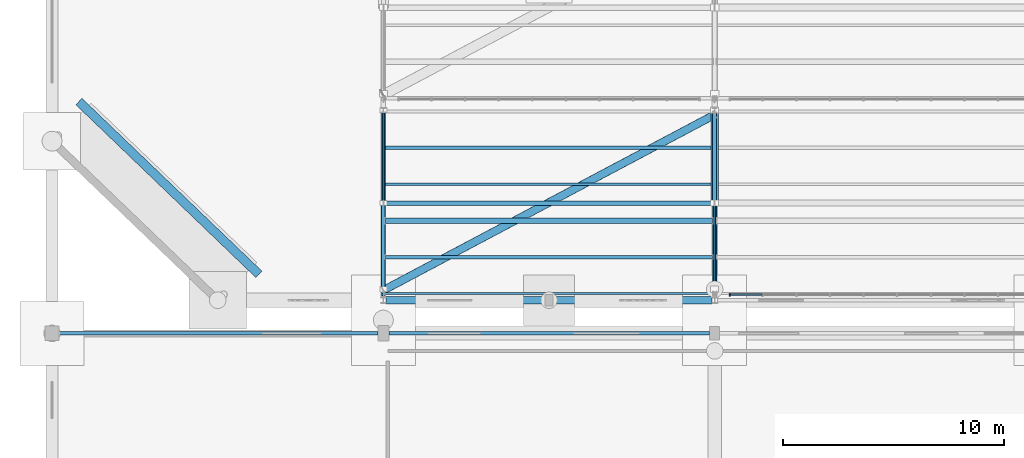
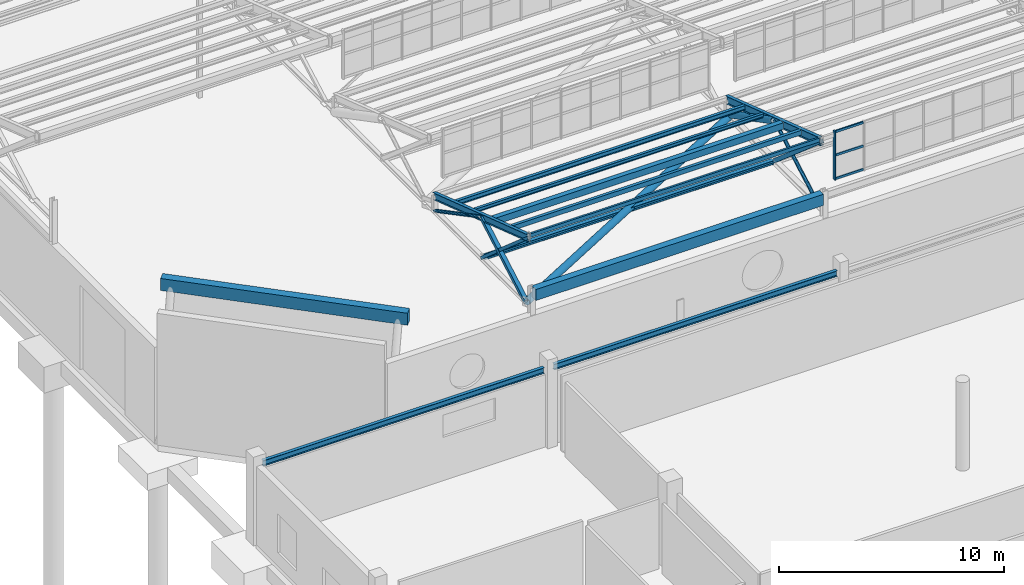
# One storey, part 39 of 285: 12 members, 11 beams, 1 element without a shape of its own.
"""IFC4 building model written with IfcOpenShell, lengths in metres."""

from ifc_helpers import new_model, si_unit, direction, frame, origin, origin_2d, place, context, subcontext, project, spatial, rectangle, hollow_rectangle, hollow_circle, i_section, extrude, material, material_profile, profile_set, type_object, element, aggregate, save


model = new_model("IFC4")

# Units and contexts
model_context = context("Model", 3, precision=1e-05, world=origin(), true_north=direction((0.0, 1.0)))
body_context = subcontext(model_context, "Body", "Model", "MODEL_VIEW")
ifc_project = project(units=[si_unit("LENGTHUNIT", "METRE"), si_unit("AREAUNIT", "SQUARE_METRE"), si_unit("VOLUMEUNIT", "CUBIC_METRE"), si_unit("PLANEANGLEUNIT", "RADIAN"), si_unit("MASSUNIT", "GRAM", prefix="KILO")], contexts=[model_context])

# Site, building, storey
site_placement = place(None, origin())
site = spatial("IfcSite", under=ifc_project, at=site_placement, CompositionType="ELEMENT")
building_placement = place(site_placement, origin())
building = spatial("IfcBuilding", under=site, at=building_placement, Name="Solanera Park Tramway Depot", CompositionType="ELEMENT")
storey_placement = place(building_placement, origin())
storey = spatial("IfcBuildingStorey", under=building, at=storey_placement, Name="L00", CompositionType="ELEMENT", Elevation=0.0)

# Curtain wall, members
ifc_material_1 = material(Name="Bronze-anodised thermally broken aluminium curtain wall", Category="aluminium")
curtain_wall_type = type_object("IfcCurtainWallType", Name="Sawtooth Clerestory Monitor Curtain Wall", PredefinedType="NOTDEFINED", material=ifc_material_1)
curtain_wall_placement = place(storey_placement, origin())
curtain_wall = element("IfcCurtainWall", 1, at=curtain_wall_placement, inside=storey, type_object=curtain_wall_type, Name="L00 Sawtooth Clerestory Monitor Curtain Wall #001", PredefinedType="NOTDEFINED")
ifc_material_2 = material(Name="Bronze-anodised structural aluminium 6063-T6", Category="aluminium")
ifc_material_profile_1 = material_profile(ifc_material_2, rectangle(XDim=0.06494140625, YDim=0.14990234375, at=origin_2d()), Name="Curtain Wall Mullion 65x150")
ifc_profile_set_1 = profile_set([ifc_material_profile_1], Name="Bronze-anodised structural aluminium 6063-T6")
member_type_1 = type_object("IfcMemberType", Name="Curtain Wall Mullion 65x150", PredefinedType="MULLION", material=ifc_profile_set_1)
member_1_placement = place(storey_placement, frame((30.6826171875, 55.75, 7.75), z_axis=(0.0, 0.0, 1.0), x_axis=(1.0, 0.0, 0.0)))
member_1 = element("IfcMember", 2, at=member_1_placement, type_object=member_type_1, Name="CW-L00-001 Mullion 1", PredefinedType="MULLION", context=body_context, shape_type="SweptSolid", body=[
    extrude(rectangle(XDim=0.06494140625, YDim=0.14990234375, at=origin_2d()), origin(), (0.0, 0.0, 1.0), 2.6611328125),
])
ifc_material_3 = material(Name="Bronze-anodised structural aluminium 6063-T6", Category="aluminium")
ifc_material_profile_2 = material_profile(ifc_material_3, rectangle(XDim=0.06494140625, YDim=0.1201171875, at=origin_2d()), Name="Curtain Wall Transom 65x120")
ifc_profile_set_2 = profile_set([ifc_material_profile_2], Name="Bronze-anodised structural aluminium 6063-T6")
member_type_2 = type_object("IfcMemberType", Name="Curtain Wall Transom 65x120", PredefinedType="USERDEFINED", material=ifc_profile_set_2)
member_2_placement = place(storey_placement, frame((30.71044921875, 55.75, 7.81005859375), z_axis=(1.0, 0.0, 0.0), x_axis=(0.0, 1.0, 0.0)))
member_2 = element("IfcMember", 3, at=member_2_placement, type_object=member_type_2, Name="CW-L00-001 Transom R1.C1", ObjectType="TRANSOM", PredefinedType="USERDEFINED", context=body_context, shape_type="SweptSolid", body=[
    extrude(rectangle(XDim=0.06494140625, YDim=0.1201171875, at=origin_2d()), origin(), (0.0, 0.0, 1.0), 1.433837890625),
])
member_3_placement = place(storey_placement, frame((30.71044921875, 55.75, 9.08056640625), z_axis=(1.0, 0.0, 0.0), x_axis=(0.0, 1.0, 0.0)))
member_3 = element("IfcMember", 4, at=member_3_placement, type_object=member_type_2, Name="CW-L00-001 Transom R2.C1", ObjectType="TRANSOM", PredefinedType="USERDEFINED", context=body_context, shape_type="SweptSolid", body=[
    extrude(rectangle(XDim=0.06494140625, YDim=0.1201171875, at=origin_2d()), origin(), (0.0, 0.0, 1.0), 1.433837890625),
])
member_4_placement = place(storey_placement, frame((30.71044921875, 55.75, 10.351318359375), z_axis=(1.0, 0.0, 0.0), x_axis=(0.0, 1.0, 0.0)))
member_4 = element("IfcMember", 5, at=member_4_placement, type_object=member_type_2, Name="CW-L00-001 Transom R3.C1", ObjectType="TRANSOM", PredefinedType="USERDEFINED", context=body_context, shape_type="SweptSolid", body=[
    extrude(rectangle(XDim=0.06494140625, YDim=0.1201171875, at=origin_2d()), origin(), (0.0, 0.0, 1.0), 1.433837890625),
])
aggregate(curtain_wall, [member_1, member_2, member_3, member_4])

# Beams
ifc_material_4 = material(Name="Concrete N40 (C40/50)", Category="concrete")
ifc_material_profile_3 = material_profile(ifc_material_4, rectangle(XDim=0.35009765625, YDim=0.60009765625, at=origin_2d()), Name="SPB 350x600")
ifc_profile_set_3 = profile_set([ifc_material_profile_3], Name="Concrete N40 (C40/50)")
beam_type_1 = type_object("IfcBeamType", Name="Perimeter Spandrel Beam SPB 350x600", PredefinedType="SPANDREL", material=ifc_profile_set_3)
beam_1_placement = place(storey_placement, frame((15.1201171875, 55.5, 7.199951171875), z_axis=(1.0, 0.0, 0.0), x_axis=(0.0, 1.0, 0.0)))
element("IfcBeam", 6, at=beam_1_placement, inside=storey, type_object=beam_type_1, Name="L00 Hall Eave Spandrel SPB 350x600 #0280", PredefinedType="SPANDREL", context=body_context, shape_type="SweptSolid", body=[
    extrude(rectangle(XDim=0.35009765625, YDim=0.60009765625, at=origin_2d()), origin(), (0.0, 0.0, 1.0), 14.759765625),
])
ifc_material_5 = material(Name="Concrete N40 (C40/50)", Category="concrete")
ifc_material_profile_4 = material_profile(ifc_material_5, rectangle(XDim=0.39990234375, YDim=0.64990234375, at=origin_2d()), Name="SPB 400x650")
ifc_profile_set_4 = profile_set([ifc_material_profile_4], Name="Concrete N40 (C40/50)")
beam_type_2 = type_object("IfcBeamType", Name="Perimeter Spandrel Beam SPB 400x650", PredefinedType="SPANDREL", material=ifc_profile_set_4)
beam_2_placement = place(storey_placement, frame((9.36669921875, 56.67041015625, 7.219970703125), z_axis=(-0.721395958426, 0.692522830791, 0.0), x_axis=(-0.692522830791, -0.721395958426, 0.0)))
element("IfcBeam", 7, at=beam_2_placement, inside=storey, type_object=beam_type_2, Name="L00 V1 Carved Corner Eave Spandrel SW", PredefinedType="SPANDREL", context=body_context, shape_type="SweptSolid", body=[
    extrude(rectangle(XDim=0.39990234375, YDim=0.64990234375, at=origin_2d()), origin(), (0.0, 0.0, 1.0), 11.296630859375),
])

# Members
ifc_material_6 = material(Name="Steel AS/NZS 1163 Grade C350L0", Category="steel")
ifc_material_profile_5 = material_profile(ifc_material_6, hollow_circle(Radius=0.084228515625, WallThickness=0.00634765625, at=origin_2d()), Name="168.3x6.4 CHS")
ifc_profile_set_5 = profile_set([ifc_material_profile_5], Name="Steel AS/NZS 1163 Grade C350L0")
member_type_3 = type_object("IfcMemberType", Name="Roof Gantry Compression Strut 168.3x6.4 CHS", PredefinedType="STRUT", material=ifc_profile_set_5)
member_5_placement = place(storey_placement, frame((30.0, 56.0, 6.5), z_axis=(0.0, 0.871630906744, 0.490162791742), x_axis=(-1.0, 0.0, 0.0)))
element("IfcMember", 8, at=member_5_placement, inside=storey, type_object=member_type_3, Name="Sawtooth ROOF TRUSS Strut 168.3x6.4 CHS #0012", PredefinedType="STRUT", context=body_context, shape_type="SweptSolid", body=[
    extrude(hollow_circle(Radius=0.084228515625, WallThickness=0.00634765625, at=origin_2d()), origin(), (0.0, 0.0, 1.0), 4.474365234375),
])
ifc_material_7 = material(Name="Steel AS/NZS 1163 Grade C350L0", Category="steel")
ifc_material_profile_6 = material_profile(ifc_material_7, hollow_rectangle(XDim=0.199951171875, YDim=0.199951171875, WallThickness=0.008056640625, at=origin_2d()), Name="200x200x8.0 SHS")
ifc_profile_set_6 = profile_set([ifc_material_profile_6], Name="Steel AS/NZS 1163 Grade C350L0")
member_type_4 = type_object("IfcMemberType", Name="Roof Gantry Compression Strut 200x200x8.0 SHS", PredefinedType="STRUT", material=ifc_profile_set_6)
member_6_placement = place(storey_placement, frame((15.0, 56.0, 6.5), z_axis=(0.0, 0.869202540842, 0.49445620938), x_axis=(-1.0, 0.0, 0.0)))
element("IfcMember", 9, at=member_6_placement, inside=storey, type_object=member_type_4, Name="Sawtooth ROOF TRUSS Strut 200x200x8.0 SHS #0009", PredefinedType="STRUT", context=body_context, shape_type="SweptSolid", body=[
    extrude(hollow_rectangle(XDim=0.199951171875, YDim=0.199951171875, WallThickness=0.008056640625, at=origin_2d()), origin(), (0.0, 0.0, 1.0), 4.48681640625),
])
ifc_material_8 = material(Name="Steel AS/NZS 3679.1 Grade 350", Category="steel")
ifc_material_profile_7 = material_profile(ifc_material_8, i_section(OverallWidth=0.203369140625, OverallDepth=0.203369140625, WebThickness=0.00732421875, FlangeThickness=0.010986328125, at=origin_2d()), Name="200UC46.2")
ifc_profile_set_7 = profile_set([ifc_material_profile_7], Name="Steel AS/NZS 3679.1 Grade 350")
member_type_5 = type_object("IfcMemberType", Name="Secondary Truss Chord 200UC46.2", PredefinedType="CHORD", material=ifc_profile_set_7)
member_7_placement = place(storey_placement, frame((15.087890625, 59.89990234375, 6.5), z_axis=(1.0, 0.0, 0.0), x_axis=(0.0, 1.0, 0.0)))
element("IfcMember", 10, at=member_7_placement, inside=storey, type_object=member_type_5, Name="Sawtooth Longitudinal Tie Chord 200UC46.2 #0034", PredefinedType="CHORD", context=body_context, shape_type="SweptSolid", body=[
    extrude(i_section(OverallWidth=0.203369140625, OverallDepth=0.203369140625, WebThickness=0.00732421875, FlangeThickness=0.010986328125, at=origin_2d()), origin(), (0.0, 0.0, 1.0), 14.82421875),
])

# Beams
ifc_material_9 = material(Name="Steel AS/NZS 3679.1 Grade 350", Category="steel")
ifc_material_profile_8 = material_profile(ifc_material_9, i_section(OverallWidth=0.166015625, OverallDepth=0.30712890625, WebThickness=0.006591796875, FlangeThickness=0.01171875, at=origin_2d()), Name="310UB46.2")
ifc_profile_set_8 = profile_set([ifc_material_profile_8], Name="Steel AS/NZS 3679.1 Grade 350")
beam_type_3 = type_object("IfcBeamType", Name="Steel Beam 310UB46.2", PredefinedType="BEAM", material=ifc_profile_set_8)
beam_3_placement = place(storey_placement, frame((0.324951171875, 54.0, 4.091552734375), z_axis=(1.0, 0.0, 0.0), x_axis=(0.0, 1.0, 0.0)))
element("IfcBeam", 11, at=beam_3_placement, inside=storey, type_object=beam_type_3, Name="L00 Workshop North Spandrel Girt 310UB46.2 #01", PredefinedType="BEAM", context=body_context, shape_type="SweptSolid", body=[
    extrude(i_section(OverallWidth=0.166015625, OverallDepth=0.30712890625, WebThickness=0.006591796875, FlangeThickness=0.01171875, at=origin_2d()), origin(), (0.0, 0.0, 1.0), 14.425048828125),
])
beam_4_placement = place(storey_placement, frame((15.25, 54.0, 4.091552734375), z_axis=(1.0, 0.0, 0.0), x_axis=(0.0, 1.0, 0.0)))
element("IfcBeam", 12, at=beam_4_placement, inside=storey, type_object=beam_type_3, Name="L00 Workshop North Spandrel Girt 310UB46.2 #02", PredefinedType="BEAM", context=body_context, shape_type="SweptSolid", body=[
    extrude(i_section(OverallWidth=0.166015625, OverallDepth=0.30712890625, WebThickness=0.006591796875, FlangeThickness=0.01171875, at=origin_2d()), origin(), (0.0, 0.0, 1.0), 14.52490234375),
])
ifc_material_10 = material(Name="Steel AS/NZS 3679.1 Grade 350", Category="steel")
ifc_material_profile_9 = material_profile(ifc_material_10, i_section(OverallWidth=0.17138671875, OverallDepth=0.355712890625, WebThickness=0.00732421875, FlangeThickness=0.011474609375, at=origin_2d()), Name="360UB50.7")
ifc_profile_set_9 = profile_set([ifc_material_profile_9], Name="Steel AS/NZS 3679.1 Grade 350")
beam_type_4 = type_object("IfcBeamType", Name="Steel Beam 360UB50.7", PredefinedType="BEAM", material=ifc_profile_set_9)
beam_5_placement = place(storey_placement, frame((15.0, 55.75, 10.10693359375), z_axis=(0.0, 0.948322229475, -0.317308917435), x_axis=(-1.0, 0.0, 0.0)))
element("IfcBeam", 13, at=beam_5_placement, inside=storey, type_object=beam_type_4, Name="Sawtooth ROOF TRUSS Top Rafter 360UB50.7 B01-T1", PredefinedType="BEAM", context=body_context, shape_type="SweptSolid", body=[
    extrude(i_section(OverallWidth=0.17138671875, OverallDepth=0.355712890625, WebThickness=0.00732421875, FlangeThickness=0.011474609375, at=origin_2d()), origin(), (0.0, 0.0, 1.0), 8.80517578125),
])
ifc_material_11 = material(Name="Steel AS/NZS 3679.1 Grade 350", Category="steel")
ifc_material_profile_10 = material_profile(ifc_material_11, i_section(OverallWidth=0.177734375, OverallDepth=0.406494140625, WebThickness=0.0078125, FlangeThickness=0.0126953125, at=origin_2d()), Name="410UB59.7")
ifc_profile_set_10 = profile_set([ifc_material_profile_10], Name="Steel AS/NZS 3679.1 Grade 350")
beam_type_5 = type_object("IfcBeamType", Name="Steel Beam 410UB59.7", PredefinedType="BEAM", material=ifc_profile_set_10)
beam_6_placement = place(storey_placement, frame((30.0, 55.75, 10.08154296875), z_axis=(0.0, 0.948322229475, -0.317308917435), x_axis=(-1.0, 0.0, 0.0)))
element("IfcBeam", 14, at=beam_6_placement, inside=storey, type_object=beam_type_5, Name="Sawtooth ROOF TRUSS Top Rafter 410UB59.7 B01-T2", PredefinedType="BEAM", context=body_context, shape_type="SweptSolid", body=[
    extrude(i_section(OverallWidth=0.177734375, OverallDepth=0.406494140625, WebThickness=0.0078125, FlangeThickness=0.0126953125, at=origin_2d()), origin(), (0.0, 0.0, 1.0), 8.80517578125),
])
ifc_material_12 = material(Name="Steel AS/NZS 3679.1 Grade 350", Category="steel")
ifc_material_profile_11 = material_profile(ifc_material_12, i_section(OverallWidth=0.13330078125, OverallDepth=0.203125, WebThickness=0.005859375, FlangeThickness=0.0078125, at=origin_2d()), Name="200UB25.4")
ifc_profile_set_11 = profile_set([ifc_material_profile_11], Name="Steel AS/NZS 3679.1 Grade 350")
beam_type_6 = type_object("IfcBeamType", Name="Steel Joist Purlin 200UB25.4", PredefinedType="JOIST", material=ifc_profile_set_11)
beam_7_placement = place(storey_placement, frame((15.077880859375, 60.75, 8.510009765625), z_axis=(1.0, 0.0, 0.0), x_axis=(0.0, 1.0, 0.0)))
element("IfcBeam", 15, at=beam_7_placement, inside=storey, type_object=beam_type_6, Name="Sawtooth Roof Purlin 200UB25.4 B01.4", PredefinedType="JOIST", context=body_context, shape_type="SweptSolid", body=[
    extrude(i_section(OverallWidth=0.13330078125, OverallDepth=0.203125, WebThickness=0.005859375, FlangeThickness=0.0078125, at=origin_2d()), origin(), (0.0, 0.0, 1.0), 14.84130859375),
])
ifc_material_13 = material(Name="Steel AS/NZS 1163 Grade C350L0", Category="steel")
ifc_material_profile_12 = material_profile(ifc_material_13, hollow_rectangle(XDim=0.10009765625, YDim=0.199951171875, WallThickness=0.006103515625, at=origin_2d()), Name="200x100x6.0 RHS")
ifc_profile_set_12 = profile_set([ifc_material_profile_12], Name="Steel AS/NZS 1163 Grade C350L0")
beam_type_7 = type_object("IfcBeamType", Name="Steel Joist Purlin 200x100x6.0 RHS", PredefinedType="JOIST", material=ifc_profile_set_12)
beam_8_placement = place(storey_placement, frame((15.077880859375, 55.800048828125, 10.17333984375), z_axis=(1.0, 0.0, 0.0), x_axis=(0.0, 1.0, 0.0)))
element("IfcBeam", 16, at=beam_8_placement, inside=storey, type_object=beam_type_7, Name="Sawtooth Roof Purlin 200x100x6.0 RHS B01.1", PredefinedType="JOIST", context=body_context, shape_type="SweptSolid", body=[
    extrude(hollow_rectangle(XDim=0.10009765625, YDim=0.199951171875, WallThickness=0.006103515625, at=origin_2d()), origin(), (0.0, 0.0, 1.0), 14.84130859375),
])
ifc_material_14 = material(Name="Steel AS/NZS 3679.1 Grade 350", Category="steel")
ifc_material_profile_13 = material_profile(ifc_material_14, i_section(OverallWidth=0.14599609375, OverallDepth=0.251708984375, WebThickness=0.006103515625, FlangeThickness=0.008544921875, at=origin_2d()), Name="250UB31.4")
ifc_profile_set_13 = profile_set([ifc_material_profile_13], Name="Steel AS/NZS 3679.1 Grade 350")
beam_type_8 = type_object("IfcBeamType", Name="Steel Joist Purlin 250UB31.4", PredefinedType="JOIST", material=ifc_profile_set_13)
beam_9_placement = place(storey_placement, frame((15.077880859375, 62.39990234375, 7.931396484375), z_axis=(1.0, 0.0, 0.0), x_axis=(0.0, 1.0, 0.0)))
element("IfcBeam", 17, at=beam_9_placement, inside=storey, type_object=beam_type_8, Name="Sawtooth Roof Purlin 250UB31.4 B01.5", PredefinedType="JOIST", context=body_context, shape_type="SweptSolid", body=[
    extrude(i_section(OverallWidth=0.14599609375, OverallDepth=0.251708984375, WebThickness=0.006103515625, FlangeThickness=0.008544921875, at=origin_2d()), origin(), (0.0, 0.0, 1.0), 14.84130859375),
])
ifc_material_15 = material(Name="Steel AS/NZS 1163 Grade C350L0", Category="steel")
ifc_material_profile_14 = material_profile(ifc_material_15, hollow_rectangle(XDim=0.14990234375, YDim=0.25, WallThickness=0.008056640625, at=origin_2d()), Name="250x150x8.0 RHS")
ifc_profile_set_14 = profile_set([ifc_material_profile_14], Name="Steel AS/NZS 1163 Grade C350L0")
beam_type_9 = type_object("IfcBeamType", Name="Steel Joist Purlin 250x150x8.0 RHS", PredefinedType="JOIST", material=ifc_profile_set_14)
beam_10_placement = place(storey_placement, frame((15.077880859375, 57.449951171875, 9.587890625), z_axis=(1.0, 0.0, 0.0), x_axis=(0.0, 1.0, 0.0)))
element("IfcBeam", 18, at=beam_10_placement, inside=storey, type_object=beam_type_9, Name="Sawtooth Roof Purlin 250x150x8.0 RHS B01.2", PredefinedType="JOIST", context=body_context, shape_type="SweptSolid", body=[
    extrude(hollow_rectangle(XDim=0.14990234375, YDim=0.25, WallThickness=0.008056640625, at=origin_2d()), origin(), (0.0, 0.0, 1.0), 14.84130859375),
])
ifc_material_16 = material(Name="Steel AS/NZS 1163 Grade C350L0", Category="steel")
ifc_material_profile_15 = material_profile(ifc_material_16, hollow_rectangle(XDim=0.25, YDim=0.35009765625, WallThickness=0.010009765625, at=origin_2d()), Name="350x250x10.0 RHS")
ifc_profile_set_15 = profile_set([ifc_material_profile_15], Name="Steel AS/NZS 1163 Grade C350L0")
beam_type_10 = type_object("IfcBeamType", Name="Steel Joist Purlin 350x250x10.0 RHS", PredefinedType="JOIST", material=ifc_profile_set_15)
beam_11_placement = place(storey_placement, frame((15.077880859375, 59.10009765625, 8.968994140625), z_axis=(1.0, 0.0, 0.0), x_axis=(0.0, 1.0, 0.0)))
element("IfcBeam", 19, at=beam_11_placement, inside=storey, type_object=beam_type_10, Name="Sawtooth Roof Purlin 350x250x10.0 RHS B01.3", PredefinedType="JOIST", context=body_context, shape_type="SweptSolid", body=[
    extrude(hollow_rectangle(XDim=0.25, YDim=0.35009765625, WallThickness=0.010009765625, at=origin_2d()), origin(), (0.0, 0.0, 1.0), 14.84130859375),
])

# Members
ifc_material_17 = material(Name="Steel AS/NZS 1163 Grade C350L0", Category="steel")
ifc_material_profile_16 = material_profile(ifc_material_17, hollow_rectangle(XDim=0.14990234375, YDim=0.14990234375, WallThickness=0.006103515625, at=origin_2d()), Name="150x150x6.0 SHS")
ifc_profile_set_16 = profile_set([ifc_material_profile_16], Name="Steel AS/NZS 1163 Grade C350L0")
member_type_6 = type_object("IfcMemberType", Name="Truss and Frame Brace 150x150x6.0 SHS", PredefinedType="BRACE", material=ifc_profile_set_16)
member_8_placement = place(storey_placement, frame((15.0, 59.89990234375, 6.5), z_axis=(0.0, -0.754756538157, 0.656005006162), x_axis=(1.0, 0.0, 0.0)))
element("IfcMember", 20, at=member_8_placement, inside=storey, type_object=member_type_6, Name="Sawtooth ROOF TRUSS Web Brace 150x150x6.0 SHS #0007", PredefinedType="BRACE", context=body_context, shape_type="SweptSolid", body=[
    extrude(hollow_rectangle(XDim=0.14990234375, YDim=0.14990234375, WallThickness=0.006103515625, at=origin_2d()), origin(), (0.0, 0.0, 1.0), 5.498291015625),
])
ifc_material_18 = material(Name="Steel AS/NZS 1163 Grade C350L0", Category="steel")
ifc_material_profile_17 = material_profile(ifc_material_18, hollow_circle(Radius=0.084228515625, WallThickness=0.00634765625, at=origin_2d()), Name="168.3x6.4 CHS")
ifc_profile_set_17 = profile_set([ifc_material_profile_17], Name="Steel AS/NZS 1163 Grade C350L0")
member_type_7 = type_object("IfcMemberType", Name="Truss and Frame Brace 168.3x6.4 CHS", PredefinedType="BRACE", material=ifc_profile_set_17)
member_9_placement = place(storey_placement, frame((15.0, 64.10009765625, 6.5), z_axis=(0.0, -0.88423383461, 0.467044457981), x_axis=(1.0, 0.0, 0.0)))
element("IfcMember", 21, at=member_9_placement, inside=storey, type_object=member_type_7, Name="Sawtooth ROOF TRUSS Diagonal 168.3x6.4 CHS #0008", PredefinedType="BRACE", context=body_context, shape_type="SweptSolid", body=[
    extrude(hollow_circle(Radius=0.084228515625, WallThickness=0.00634765625, at=origin_2d()), origin(), (0.0, 0.0, 1.0), 4.75),
])
ifc_material_19 = material(Name="Steel AS/NZS 1163 Grade C350L0", Category="steel")
ifc_material_profile_18 = material_profile(ifc_material_19, hollow_rectangle(XDim=0.199951171875, YDim=0.199951171875, WallThickness=0.008056640625, at=origin_2d()), Name="200x200x8.0 SHS")
ifc_profile_set_18 = profile_set([ifc_material_profile_18], Name="Steel AS/NZS 1163 Grade C350L0")
member_type_8 = type_object("IfcMemberType", Name="Truss and Frame Brace 200x200x8.0 SHS", PredefinedType="BRACE", material=ifc_profile_set_18)
member_10_placement = place(storey_placement, frame((30.0, 59.89990234375, 6.5), z_axis=(0.0, -0.757045281618, 0.653362412127), x_axis=(1.0, 0.0, 0.0)))
element("IfcMember", 22, at=member_10_placement, inside=storey, type_object=member_type_8, Name="Sawtooth ROOF TRUSS Web Brace 200x200x8.0 SHS #0010", PredefinedType="BRACE", context=body_context, shape_type="SweptSolid", body=[
    extrude(hollow_rectangle(XDim=0.199951171875, YDim=0.199951171875, WallThickness=0.008056640625, at=origin_2d()), origin(), (0.0, 0.0, 1.0), 5.481689453125),
])
ifc_material_20 = material(Name="Steel AS/NZS 1163 Grade C350L0", Category="steel")
ifc_material_profile_19 = material_profile(ifc_material_20, hollow_circle(Radius=0.177734375, WallThickness=0.0126953125, at=origin_2d()), Name="355.6x12.7 CHS")
ifc_profile_set_19 = profile_set([ifc_material_profile_19], Name="Steel AS/NZS 1163 Grade C350L0")
member_type_9 = type_object("IfcMemberType", Name="Truss and Frame Brace 355.6x12.7 CHS", PredefinedType="BRACE", material=ifc_profile_set_19)
member_11_placement = place(storey_placement, frame((30.0, 64.10009765625, 6.5), z_axis=(0.0, -0.886436886442, 0.462849485638), x_axis=(1.0, 0.0, 0.0)))
element("IfcMember", 23, at=member_11_placement, inside=storey, type_object=member_type_9, Name="Sawtooth ROOF TRUSS Diagonal 355.6x12.7 CHS #0011", PredefinedType="BRACE", context=body_context, shape_type="SweptSolid", body=[
    extrude(hollow_circle(Radius=0.177734375, WallThickness=0.0126953125, at=origin_2d()), origin(), (0.0, 0.0, 1.0), 4.73828125),
])
member_12_placement = place(storey_placement, frame((15.001953125, 55.949951171875, 6.5), z_axis=(0.883523615038, 0.468386615598, 0.0), x_axis=(-0.468386615598, 0.883523615038, 0.0)))
element("IfcMember", 24, at=member_12_placement, inside=storey, type_object=member_type_9, Name="Roof Plane Cyclonic Brace 355.6x12.7 CHS #0035", PredefinedType="BRACE", context=body_context, shape_type="SweptSolid", body=[
    extrude(hollow_circle(Radius=0.177734375, WallThickness=0.0126953125, at=origin_2d()), origin(), (0.0, 0.0, 1.0), 16.97314453125),
])

save(model, "model.ifc")
